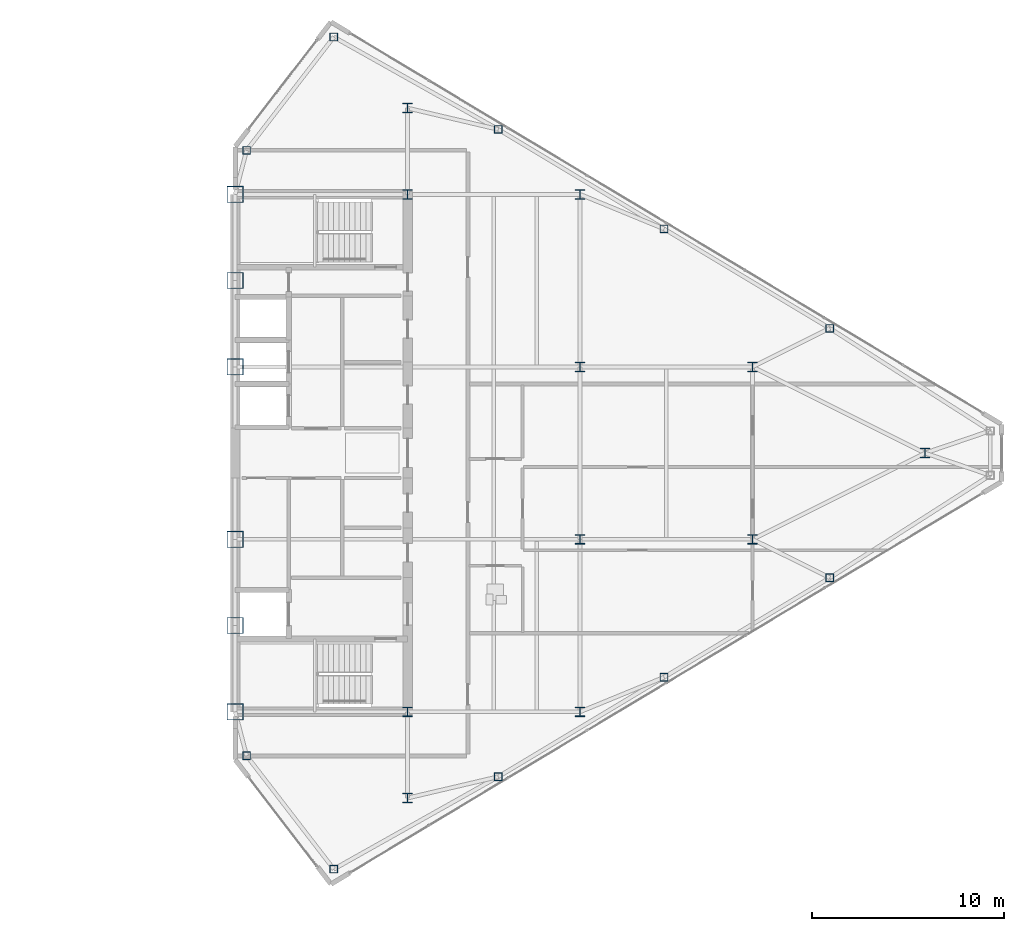
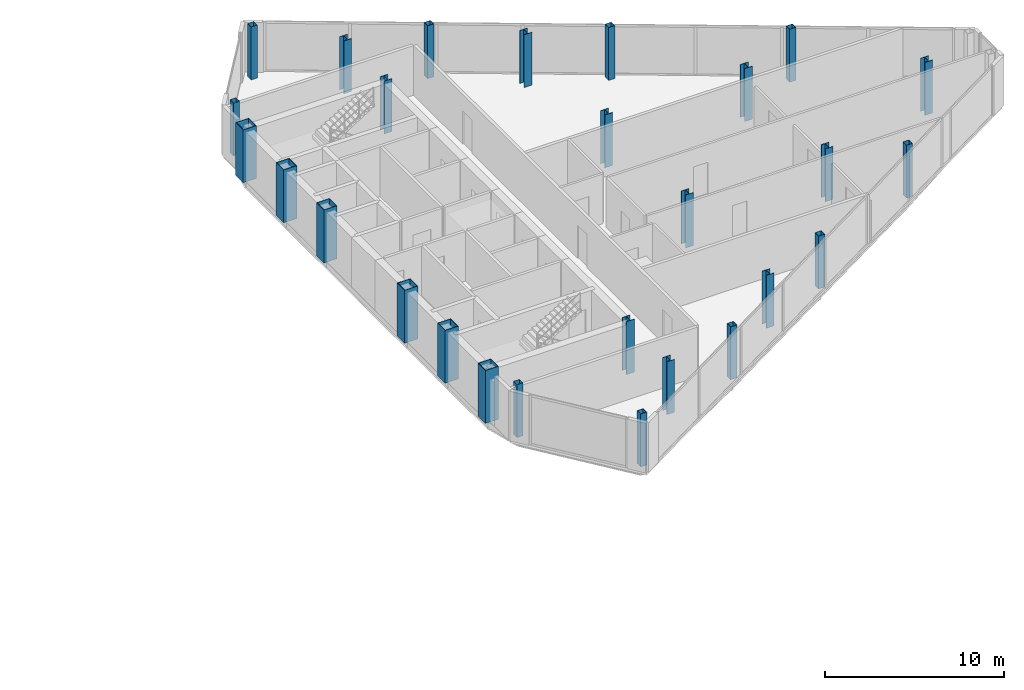
# One storey, part 3 of 25: 27 columns.
"""IFC4 building model written with IfcOpenShell, lengths in metres."""

from ifc_helpers import new_model, si_unit, direction, frame, origin, origin_2d, place, context, subcontext, project, spatial, hollow_rectangle, i_section, extrude, source, transform, mapped, material, material_profile, profile_set, type_object, type_shapes, element, save


model = new_model("IFC4")

# Units and contexts
model_context = context("Model", 3, precision=1e-05, world=origin(), true_north=direction((0.0, 1.0)))
body_context = subcontext(model_context, "Body", "Model", "MODEL_VIEW")
ifc_project = project(units=[si_unit("LENGTHUNIT", "METRE"), si_unit("AREAUNIT", "SQUARE_METRE"), si_unit("VOLUMEUNIT", "CUBIC_METRE"), si_unit("PLANEANGLEUNIT", "RADIAN"), si_unit("MASSUNIT", "GRAM", prefix="KILO")], contexts=[model_context])

# Site, building, storey
site_placement = place(None, origin())
site = spatial("IfcSite", under=ifc_project, at=site_placement, CompositionType="ELEMENT")
building_placement = place(site_placement, origin())
building = spatial("IfcBuilding", under=site, at=building_placement, Name="Seokmaru Belvedere", CompositionType="ELEMENT")
storey_placement = place(building_placement, frame((0.0, 0.0, 210.300048828125)))
storey = spatial("IfcBuildingStorey", under=building, at=storey_placement, Name="L56", CompositionType="ELEMENT", Elevation=210.300048828125)

# Columns
ifc_material_1 = material(Name="Steel HSA650 (650 MPa)", Category="steel")
ifc_material_profile_1 = material_profile(ifc_material_1, hollow_rectangle(XDim=0.85009765625, YDim=0.85009765625, WallThickness=0.035888671875, at=origin_2d()), Name="BOX-850x850x36")
ifc_profile_set_1 = profile_set([ifc_material_profile_1], Name="Steel HSA650 (650 MPa)")
column_type_1 = type_object("IfcColumnType", Name="Portal Spine Column BOX-850", PredefinedType="COLUMN", material=ifc_profile_set_1)
shared_shape_1 = source(origin(), body_context, "Body", "SweptSolid", [
    extrude(hollow_rectangle(XDim=0.85009765625, YDim=0.85009765625, WallThickness=0.035888671875, at=origin_2d()), origin(), (0.0, 0.0, 1.0), 3.599853515625),
])
type_shapes(column_type_1, [shared_shape_1])
for number, where, z_axis, x_axis, name in (
    (1, (27.5, -13.5, 0.0), (0.0, 0.0, 1.0), (1.0, 0.0, 0.0), "L56 Column ES1"),
    (2, (27.5, -9.0, 0.0), (0.0, 0.0, 1.0), (1.0, 0.0, 0.0), "L56 Column ES2"),
    (3, (27.5, -4.5, 0.0), (0.0, 0.0, 1.0), (1.0, 0.0, 0.0), "L56 Column ES3"),
    (4, (27.5, 4.5, 0.0), (0.0, 0.0, 1.0), (1.0, 0.0, 0.0), "L56 Column ES4"),
    (5, (27.5, 9.0, 0.0), (0.0, 0.0, 1.0), (1.0, 0.0, 0.0), "L56 Column ES5"),
    (6, (27.5, 13.5, 0.0), (0.0, 0.0, 1.0), (1.0, 0.0, 0.0), "L56 Column ES6"),
):
    element("IfcColumn", number, at=place(storey_placement, frame(where, z_axis=z_axis, x_axis=x_axis)), inside=storey, type_object=column_type_1, Name=name, PredefinedType="COLUMN", context=body_context, shape_type="MappedRepresentation", body=[
        mapped(shared_shape_1, transform((0.0, 0.0, 0.0), scale=1.0)),
    ])
ifc_material_2 = material(Name="Steel SM355 (355 MPa)", Category="steel")
ifc_material_profile_2 = material_profile(ifc_material_2, i_section(OverallWidth=0.5, OverallDepth=0.5, WebThickness=0.02001953125, FlangeThickness=0.031982421875, at=origin_2d()), Name="H-500x500x20x32")
ifc_profile_set_2 = profile_set([ifc_material_profile_2], Name="Steel SM355 (355 MPa)")
column_type_2 = type_object("IfcColumnType", Name="High-Rise Interior Column H-500", PredefinedType="COLUMN", material=ifc_profile_set_2)
shared_shape_2 = source(origin(), body_context, "Body", "SweptSolid", [
    extrude(i_section(OverallWidth=0.5, OverallDepth=0.5, WebThickness=0.02001953125, FlangeThickness=0.031982421875, at=origin_2d()), origin(), (0.0, 0.0, 1.0), 3.599853515625),
])
type_shapes(column_type_2, [shared_shape_2])
for number, where, z_axis, x_axis, name in (
    (7, (36.5, -18.0, 0.0), (0.0, 0.0, 1.0), (1.0, 0.0, 0.0), "L56 Column EC1"),
    (8, (36.5, -13.5, 0.0), (0.0, 0.0, 1.0), (1.0, 0.0, 0.0), "L56 Column EC2"),
    (9, (36.5, 13.5, 0.0), (0.0, 0.0, 1.0), (1.0, 0.0, 0.0), "L56 Column EC3"),
    (10, (36.5, 18.0, 0.0), (0.0, 0.0, 1.0), (1.0, 0.0, 0.0), "L56 Column EC4"),
    (11, (45.5, -13.5, 0.0), (0.0, 0.0, 1.0), (1.0, 0.0, 0.0), "L56 Column EG5_1"),
    (12, (45.5, -4.5, 0.0), (0.0, 0.0, 1.0), (1.0, 0.0, 0.0), "L56 Column EG5_2"),
    (13, (45.5, 4.5, 0.0), (0.0, 0.0, 1.0), (1.0, 0.0, 0.0), "L56 Column EG5_3"),
    (14, (45.5, 13.5, 0.0), (0.0, 0.0, 1.0), (1.0, 0.0, 0.0), "L56 Column EG5_4"),
    (15, (54.5, -4.5, 0.0), (0.0, 0.0, 1.0), (1.0, 0.0, 0.0), "L56 Column EG4P_1"),
    (16, (54.5, 4.5, 0.0), (0.0, 0.0, 1.0), (1.0, 0.0, 0.0), "L56 Column EG4P_2"),
    (17, (63.5, 0.0, 0.0), (0.0, 0.0, 1.0), (1.0, 0.0, 0.0), "L56 Column EG3P_1"),
):
    element("IfcColumn", number, at=place(storey_placement, frame(where, z_axis=z_axis, x_axis=x_axis)), inside=storey, type_object=column_type_2, Name=name, PredefinedType="COLUMN", context=body_context, shape_type="MappedRepresentation", body=[
        mapped(shared_shape_2, transform((0.0, 0.0, 0.0), scale=1.0)),
    ])
ifc_material_profile_3 = material_profile(ifc_material_2, hollow_rectangle(XDim=0.39990234375, YDim=0.39990234375, WallThickness=0.01611328125, at=origin_2d()), Name="HSS-400x400x16")
ifc_profile_set_3 = profile_set([ifc_material_profile_3], Name="Steel SM355 (355 MPa)")
column_type_3 = type_object("IfcColumnType", Name="Perimeter Facet Column HSS-400", PredefinedType="COLUMN", material=ifc_profile_set_3)
shared_shape_3 = source(origin(), body_context, "Body", "SweptSolid", [
    extrude(hollow_rectangle(XDim=0.39990234375, YDim=0.39990234375, WallThickness=0.01611328125, at=origin_2d()), origin(), (0.0, 0.0, 1.0), 3.599853515625),
])
type_shapes(column_type_3, [shared_shape_3])
for number, where, z_axis, x_axis, name in (
    (18, (32.649658203125, -21.71044921875, 0.0), (0.0, 0.0, 1.0), (1.0, 0.0, 0.0), "L56 Column EF1"),
    (19, (32.649658203125, 21.71044921875, 0.0), (0.0, 0.0, 1.0), (1.0, 0.0, 0.0), "L56 Column EF4"),
    (20, (28.10009765625, 15.7958984375, 0.0), (0.0, 0.0, 1.0), (1.0, 0.0, 0.0), "L56 Column EF5"),
    (21, (28.10009765625, -15.7958984375, 0.0), (0.0, 0.0, 1.0), (1.0, 0.0, 0.0), "L56 Column EF6"),
    (22, (41.229736328125, -16.888916015625, 0.0), (0.0, 0.0, 1.0), (1.0, 0.0, 0.0), "L56 Column EFLK_S1"),
    (23, (49.8798828125, -11.698974609375, 0.0), (0.0, 0.0, 1.0), (1.0, 0.0, 0.0), "L56 Column EFLK_S2"),
    (24, (58.530029296875, -6.5087890625, 0.0), (0.0, 0.0, 1.0), (1.0, 0.0, 0.0), "L56 Column EFLK_S3"),
    (25, (41.229736328125, 16.888916015625, 0.0), (0.0, 0.0, 1.0), (1.0, 0.0, 0.0), "L56 Column EFLK_N1"),
    (26, (49.8798828125, 11.698974609375, 0.0), (0.0, 0.0, 1.0), (1.0, 0.0, 0.0), "L56 Column EFLK_N2"),
    (27, (58.530029296875, 6.5087890625, 0.0), (0.0, 0.0, 1.0), (1.0, 0.0, 0.0), "L56 Column EFLK_N3"),
):
    element("IfcColumn", number, at=place(storey_placement, frame(where, z_axis=z_axis, x_axis=x_axis)), inside=storey, type_object=column_type_3, Name=name, PredefinedType="COLUMN", context=body_context, shape_type="MappedRepresentation", body=[
        mapped(shared_shape_3, transform((0.0, 0.0, 0.0), scale=1.0)),
    ])

save(model, "model.ifc")
